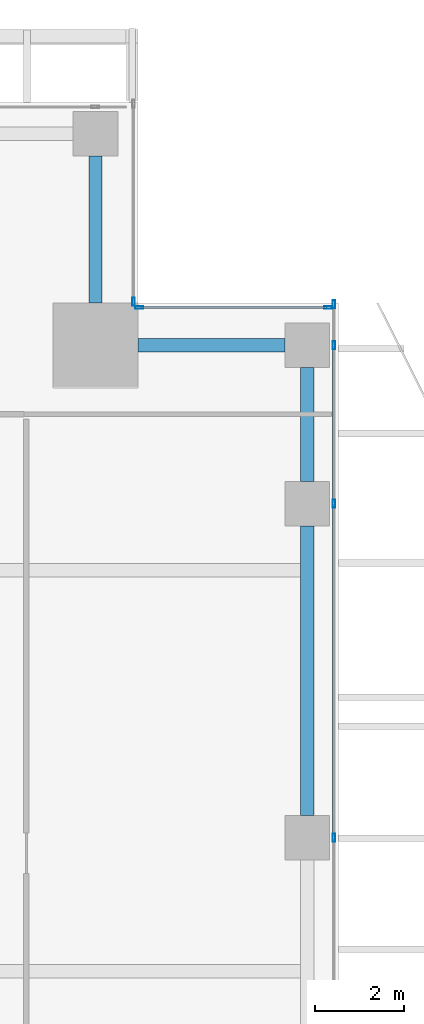
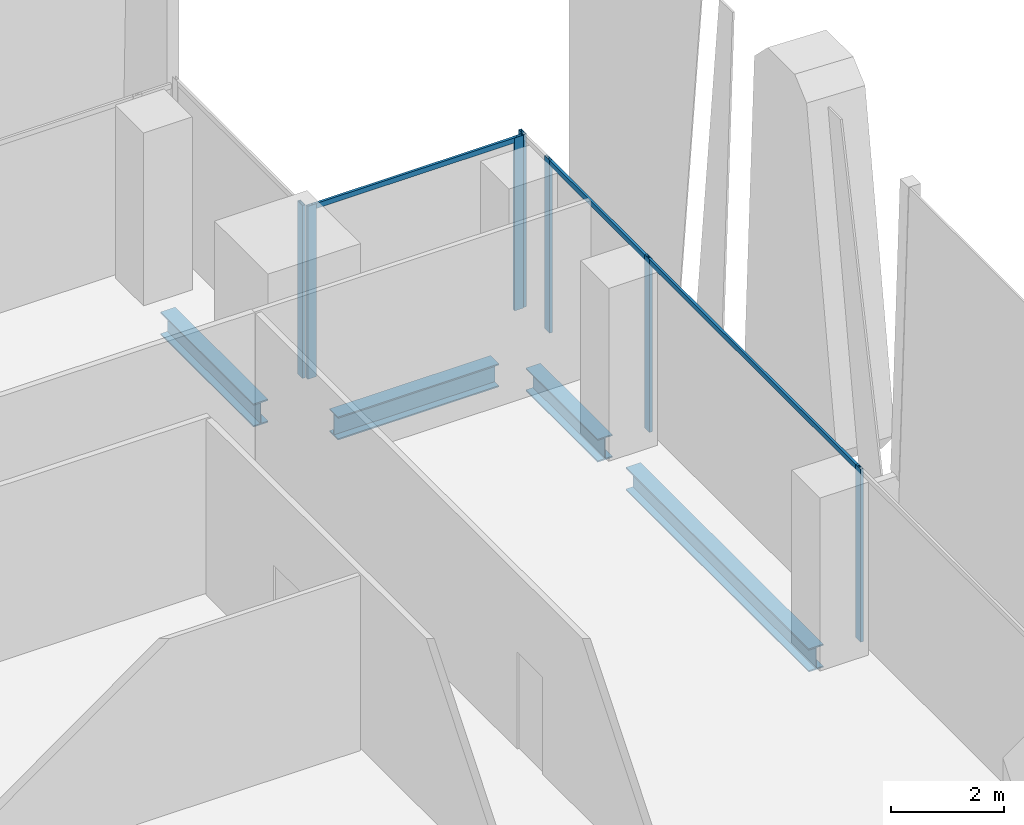
# One storey, part 19 of 35: 10 members, 4 beams, 3 elements without a shape of their own.
"""IFC4 building model written with IfcOpenShell, lengths in metres."""

from ifc_helpers import new_model, si_unit, direction, frame, origin, origin_2d, place, context, subcontext, project, spatial, hollow_rectangle, i_section, extrude, source, transform, mapped, material, material_profile, profile_set, type_object, element, aggregate, save


model = new_model("IFC4")

# Units and contexts
model_context = context("Model", 3, precision=1e-05, world=origin(), true_north=direction((0.0, 1.0)))
body_context = subcontext(model_context, "Body", "Model", "MODEL_VIEW")
ifc_project = project(units=[si_unit("LENGTHUNIT", "METRE"), si_unit("AREAUNIT", "SQUARE_METRE"), si_unit("VOLUMEUNIT", "CUBIC_METRE"), si_unit("PLANEANGLEUNIT", "RADIAN"), si_unit("MASSUNIT", "GRAM", prefix="KILO")], contexts=[model_context])

# Site, building, storey
site_placement = place(None, origin())
site = spatial("IfcSite", under=ifc_project, at=site_placement, CompositionType="ELEMENT")
building_placement = place(site_placement, origin())
building = spatial("IfcBuilding", under=site, at=building_placement, Name="Khomas Fold Tower", CompositionType="ELEMENT")
storey_placement = place(building_placement, frame((0.0, 0.0, 200.699951171875)))
storey = spatial("IfcBuildingStorey", under=building, at=storey_placement, Name="L44", CompositionType="ELEMENT", Elevation=200.699951171875)

# Beams
ifc_material_1 = material(Name="Steel S355", Category="steel")
ifc_material_profile_1 = material_profile(ifc_material_1, i_section(OverallWidth=0.300048828125, OverallDepth=0.5, WebThickness=0.014404296875, FlangeThickness=0.028076171875, at=origin_2d()), Name="HE 500 B")
ifc_profile_set_1 = profile_set([ifc_material_profile_1], Name="Steel S355")
beam_type = type_object("IfcBeamType", Name="HE 500 B spandrel SB3", PredefinedType="SPANDREL", material=ifc_profile_set_1)
shared_shape_1 = source(origin(), body_context, "Body", "SweptSolid", [
    extrude(i_section(OverallWidth=0.300048828125, OverallDepth=0.5, WebThickness=0.014404296875, FlangeThickness=0.028076171875, at=origin_2d()), origin(), (0.0, 0.0, 1.0), 2.550048828125),
])
beam_1_placement = place(storey_placement, frame((50.300048828125, 42.5, -0.5), z_axis=(0.0, 1.0, 0.0), x_axis=(-1.0, 0.0, 0.0)))
element("IfcBeam", 1, at=beam_1_placement, inside=storey, type_object=beam_type, Name="SB3", PredefinedType="SPANDREL", context=body_context, shape_type="MappedRepresentation", body=[
    mapped(shared_shape_1, transform((0.0, 0.0, 0.0))),
])
shared_shape_2 = source(origin(), body_context, "Body", "SweptSolid", [
    extrude(i_section(OverallWidth=0.300048828125, OverallDepth=0.5, WebThickness=0.014404296875, FlangeThickness=0.028076171875, at=origin_2d()), origin(), (0.0, 0.0, 1.0), 6.5),
])
beam_2_placement = place(storey_placement, frame((50.300048828125, 35.0, -0.5), z_axis=(0.0, 1.0, 0.0), x_axis=(-1.0, 0.0, 0.0)))
element("IfcBeam", 2, at=beam_2_placement, inside=storey, type_object=beam_type, Name="SB3", PredefinedType="SPANDREL", context=body_context, shape_type="MappedRepresentation", body=[
    mapped(shared_shape_2, transform((0.0, 0.0, 0.0))),
])
shared_shape_3 = source(origin(), body_context, "Body", "SweptSolid", [
    extrude(i_section(OverallWidth=0.300048828125, OverallDepth=0.5, WebThickness=0.014404296875, FlangeThickness=0.028076171875, at=origin_2d()), origin(), (0.0, 0.0, 1.0), 3.300048828125),
])
for number, where, z_axis, x_axis, name in (
    (3, (46.5, 45.550048828125, -0.5), (1.0, 0.0, 0.0), (0.0, 1.0, 0.0), "SB3"),
    (4, (45.550048828125, 46.5, -0.5), (0.0, 1.0, 0.0), (-1.0, 0.0, 0.0), "SB3"),
):
    element("IfcBeam", number, at=place(storey_placement, frame(where, z_axis=z_axis, x_axis=x_axis)), inside=storey, type_object=beam_type, Name=name, PredefinedType="SPANDREL", context=body_context, shape_type="MappedRepresentation", body=[
        mapped(shared_shape_3, transform((0.0, 0.0, 0.0))),
    ])

# Curtain wall, members
ifc_material_2 = material(Name="Aluminium framed double glazing", Category="aluminium")
curtain_wall_type = type_object("IfcCurtainWallType", Name="SK-Unitised clear-glass wall, office floors CW2", PredefinedType="NOTDEFINED", material=ifc_material_2)
curtain_wall_1_placement = place(storey_placement, origin())
curtain_wall_1 = element("IfcCurtainWall", 5, at=curtain_wall_1_placement, inside=storey, type_object=curtain_wall_type, Name="CW2 run L44 03-1", PredefinedType="NOTDEFINED")
ifc_material_3 = material(Name="Aluminium", Category="aluminium")
ifc_material_profile_2 = material_profile(ifc_material_3, hollow_rectangle(XDim=0.06005859375, YDim=0.179931640625, WallThickness=0.00390625, at=origin_2d()), Name="SK-Unitised clear-glass wall, office floors mullion CW2-M")
ifc_profile_set_2 = profile_set([ifc_material_profile_2], Name="Aluminium")
member_type_1 = type_object("IfcMemberType", Name="SK-Unitised clear-glass wall, office floors mullion CW2-M", PredefinedType="MULLION", material=ifc_profile_set_2)
shared_shape_4 = source(origin(), body_context, "Body", "SweptSolid", [
    extrude(hollow_rectangle(XDim=0.06005859375, YDim=0.179931640625, WallThickness=0.00390625, at=origin_2d()), origin(), (0.0, 0.0, 1.0), 3.75),
])
member_1_placement = place(storey_placement, frame((50.89990234375, 34.5, 0.0), z_axis=(0.0, 0.0, 1.0), x_axis=(-1.0, 0.0, 0.0)))
member_1 = element("IfcMember", 6, at=member_1_placement, type_object=member_type_1, Name="CW2 mullion 3", PredefinedType="MULLION", context=body_context, shape_type="MappedRepresentation", body=[
    mapped(shared_shape_4, transform((0.0, 0.0, 0.0))),
])
member_2_placement = place(storey_placement, frame((50.89990234375, 42.0, 0.0), z_axis=(0.0, 0.0, 1.0), x_axis=(-1.0, 0.0, 0.0)))
member_2 = element("IfcMember", 7, at=member_2_placement, type_object=member_type_1, Name="CW2 mullion 4", PredefinedType="MULLION", context=body_context, shape_type="MappedRepresentation", body=[
    mapped(shared_shape_4, transform((0.0, 0.0, 0.0))),
])
member_3_placement = place(storey_placement, frame((50.89990234375, 45.550048828125, 0.0), z_axis=(0.0, 0.0, 1.0), x_axis=(-1.0, 0.0, 0.0)))
member_3 = element("IfcMember", 8, at=member_3_placement, type_object=member_type_1, Name="CW2 mullion 5", PredefinedType="MULLION", context=body_context, shape_type="MappedRepresentation", body=[
    mapped(shared_shape_4, transform((0.0, 0.0, 0.0))),
])
member_4_placement = place(storey_placement, frame((50.89990234375, 46.469970703125, 0.0), z_axis=(0.0, 0.0, 1.0), x_axis=(-1.0, 0.0, 0.0)))
member_4 = element("IfcMember", 9, at=member_4_placement, type_object=member_type_1, Name="CW2 mullion 6", PredefinedType="MULLION", context=body_context, shape_type="MappedRepresentation", body=[
    mapped(shared_shape_4, transform((0.0, 0.0, 0.0))),
])

curtain_wall_2_placement = place(storey_placement, origin())
curtain_wall_2 = element("IfcCurtainWall", 10, at=curtain_wall_2_placement, inside=storey, type_object=curtain_wall_type, Name="CW2 corner return L44 04", PredefinedType="NOTDEFINED")
member_5_placement = place(storey_placement, frame((50.77001953125, 46.39990234375, 0.0), z_axis=(0.0, 0.0, 1.0), x_axis=(0.0, -1.0, 0.0)))
member_5 = element("IfcMember", 11, at=member_5_placement, type_object=member_type_1, Name="CW2 mullion 1", PredefinedType="MULLION", context=body_context, shape_type="MappedRepresentation", body=[
    mapped(shared_shape_4, transform((0.0, 0.0, 0.0))),
])
member_6_placement = place(storey_placement, frame((46.530029296875, 46.39990234375, 0.0), z_axis=(0.0, 0.0, 1.0), x_axis=(0.0, -1.0, 0.0)))
member_6 = element("IfcMember", 12, at=member_6_placement, type_object=member_type_1, Name="CW2 mullion 2", PredefinedType="MULLION", context=body_context, shape_type="MappedRepresentation", body=[
    mapped(shared_shape_4, transform((0.0, 0.0, 0.0))),
])

# Curtain wall, member
curtain_wall_3_placement = place(storey_placement, origin())
curtain_wall_3 = element("IfcCurtainWall", 13, at=curtain_wall_3_placement, inside=storey, type_object=curtain_wall_type, Name="CW2 corner return L44 05", PredefinedType="NOTDEFINED")
member_7_placement = place(storey_placement, frame((46.39990234375, 46.530029296875, 0.0), z_axis=(0.0, 0.0, 1.0), x_axis=(-1.0, 0.0, 0.0)))
member_7 = element("IfcMember", 14, at=member_7_placement, type_object=member_type_1, Name="CW2 mullion 1", PredefinedType="MULLION", context=body_context, shape_type="MappedRepresentation", body=[
    mapped(shared_shape_4, transform((0.0, 0.0, 0.0))),
])
aggregate(curtain_wall_3, [member_7])

# Member
ifc_material_4 = material(Name="Aluminium", Category="aluminium")
ifc_material_profile_3 = material_profile(ifc_material_4, hollow_rectangle(XDim=0.050048828125, YDim=0.110107421875, WallThickness=0.00390625, at=origin_2d()), Name="SK-Unitised clear-glass wall, office floors transom CW2-T")
ifc_profile_set_3 = profile_set([ifc_material_profile_3], Name="Aluminium")
member_type_2 = type_object("IfcMemberType", Name="SK-Unitised clear-glass wall, office floors transom CW2-T", PredefinedType="USERDEFINED", material=ifc_profile_set_3)
shared_shape_5 = source(origin(), body_context, "Body", "SweptSolid", [
    extrude(hollow_rectangle(XDim=0.050048828125, YDim=0.110107421875, WallThickness=0.00390625, at=origin_2d()), origin(), (0.0, 0.0, 1.0), 3.489990234375),
])
member_8_placement = place(storey_placement, frame((50.89990234375, 42.030029296875, 3.695068359375), z_axis=(0.0, 1.0, 0.0), x_axis=(-1.0, 0.0, 0.0)))
member_8 = element("IfcMember", 15, at=member_8_placement, type_object=member_type_2, Name="CW2 transom 4", ObjectType="TRANSOM", PredefinedType="USERDEFINED", context=body_context, shape_type="MappedRepresentation", body=[
    mapped(shared_shape_5, transform((0.0, 0.0, 0.0))),
])

shared_shape_6 = source(origin(), body_context, "Body", "SweptSolid", [
    extrude(hollow_rectangle(XDim=0.050048828125, YDim=0.110107421875, WallThickness=0.00390625, at=origin_2d()), origin(), (0.0, 0.0, 1.0), 7.43994140625),
])
member_9_placement = place(storey_placement, frame((50.89990234375, 34.530029296875, 3.695068359375), z_axis=(0.0, 1.0, 0.0), x_axis=(-1.0, 0.0, 0.0)))
member_9 = element("IfcMember", 16, at=member_9_placement, type_object=member_type_2, Name="CW2 transom 3", ObjectType="TRANSOM", PredefinedType="USERDEFINED", context=body_context, shape_type="MappedRepresentation", body=[
    mapped(shared_shape_6, transform((0.0, 0.0, 0.0))),
])

aggregate(curtain_wall_1, [member_1, member_2, member_3, member_4, member_9, member_8])

shared_shape_7 = source(origin(), body_context, "Body", "SweptSolid", [
    extrude(hollow_rectangle(XDim=0.050048828125, YDim=0.110107421875, WallThickness=0.00390625, at=origin_2d()), origin(), (0.0, 0.0, 1.0), 4.179931640625),
])
member_10_placement = place(storey_placement, frame((50.739990234375, 46.39990234375, 3.695068359375), z_axis=(-1.0, 0.0, 0.0), x_axis=(0.0, -1.0, 0.0)))
member_10 = element("IfcMember", 17, at=member_10_placement, type_object=member_type_2, Name="CW2 transom 1", ObjectType="TRANSOM", PredefinedType="USERDEFINED", context=body_context, shape_type="MappedRepresentation", body=[
    mapped(shared_shape_7, transform((0.0, 0.0, 0.0))),
])

aggregate(curtain_wall_2, [member_5, member_6, member_10])

save(model, "model.ifc")
